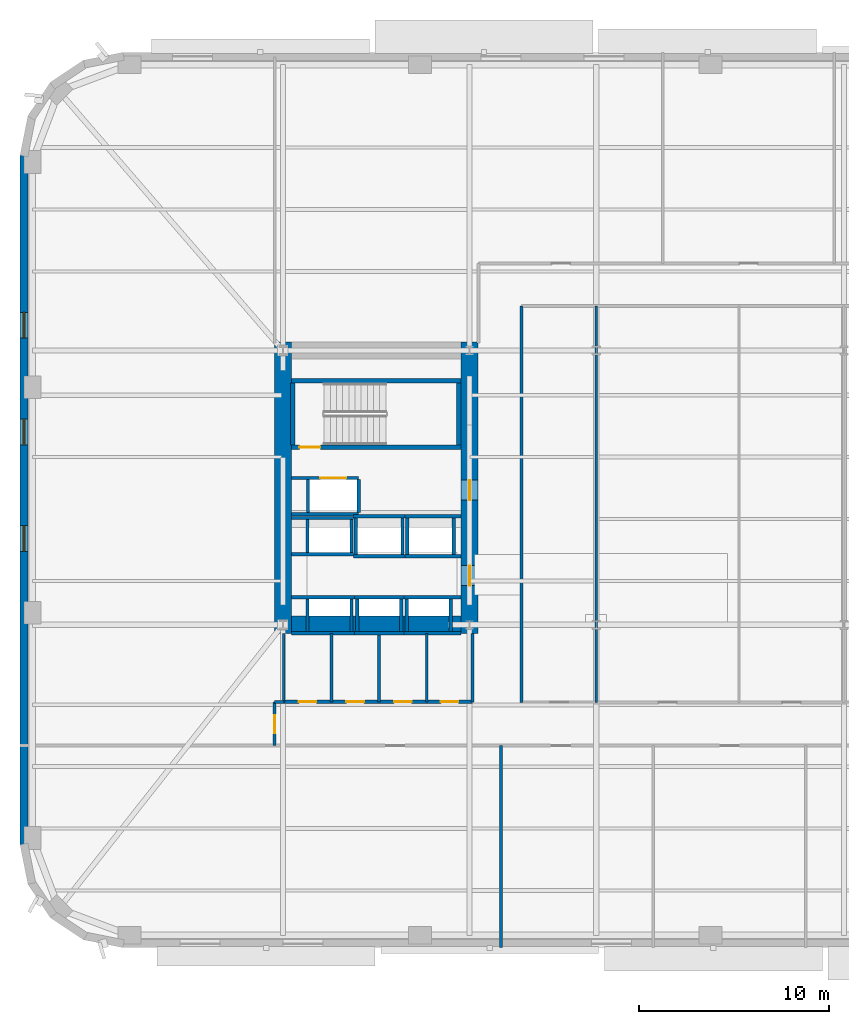
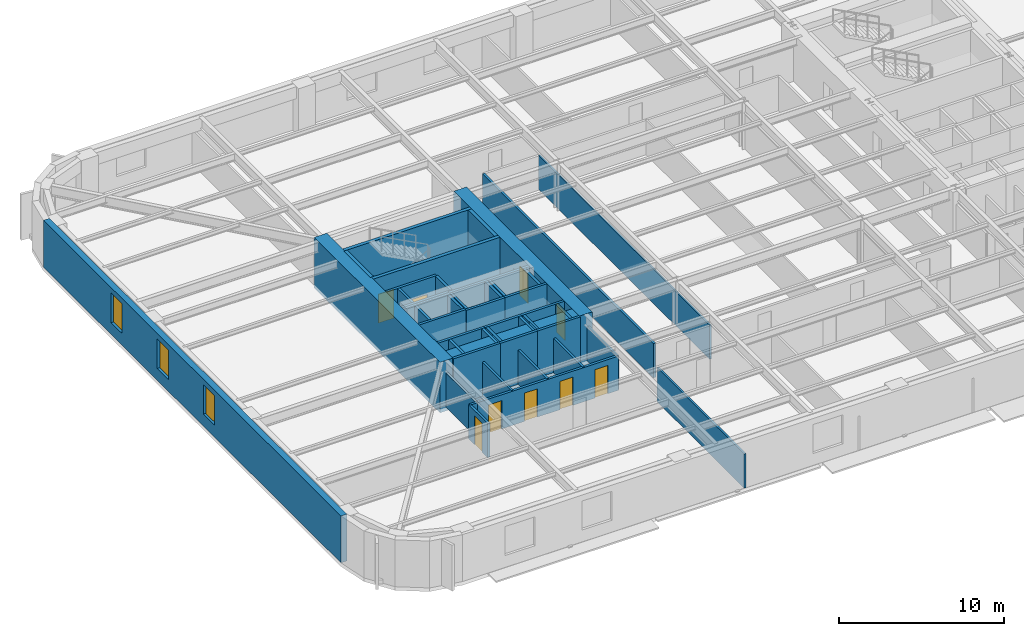
# One storey, part 4 of 15: 47 walls, 9 doors, 3 windows, 12 openings.
"""IFC4 building model written with IfcOpenShell, lengths in metres."""

from ifc_helpers import new_model, si_unit, direction, frame, frame_2d, origin, place, context, subcontext, project, spatial, rectangle, extrude, material, layer, layer_set, type_object, element, fill, save


model = new_model("IFC4")

# Units and contexts
model_context = context("Model", 3, precision=1e-05, world=origin(), true_north=direction((0.0, 1.0)))
body_context = subcontext(model_context, "Body", "Model", "MODEL_VIEW")
ifc_project = project(units=[si_unit("LENGTHUNIT", "METRE"), si_unit("AREAUNIT", "SQUARE_METRE"), si_unit("VOLUMEUNIT", "CUBIC_METRE"), si_unit("PLANEANGLEUNIT", "RADIAN"), si_unit("MASSUNIT", "GRAM", prefix="KILO")], contexts=[model_context])

# Site, building, storey
site_placement = place(None, origin())
site = spatial("IfcSite", under=ifc_project, at=site_placement, CompositionType="ELEMENT")
building_placement = place(site_placement, origin())
building = spatial("IfcBuilding", under=site, at=building_placement, Name="Kolvaren Arena Tower", CompositionType="ELEMENT")
storey_placement = place(building_placement, frame((0.0, 0.0, 49.5)))
storey = spatial("IfcBuildingStorey", under=building, at=storey_placement, Name="L09", CompositionType="ELEMENT", Elevation=49.5)

# Wall
ifc_material_1 = material(Name="Gypsum board acoustic assembly", Category="gypsum")
ifc_layer_1 = layer(ifc_material_1, 0.159912109375)
ifc_layer_set_1 = layer_set([ifc_layer_1], Name="Gypsum board acoustic assembly")
wall_type_1 = type_object("IfcWallType", Name="CORR-160", PredefinedType="PARTITIONING", material=ifc_layer_set_1)
wall_1_placement = place(storey_placement, frame((27.080078125, 15.3798828125, 0.0), z_axis=(0.0, 0.0, 1.0), x_axis=(0.0, 1.0, 0.0)))
element("IfcWall", 1, at=wall_1_placement, inside=storey, type_object=wall_type_1, Name="Interior Partition Wall (L09)", PredefinedType="PARTITIONING", context=body_context, shape_type="SweptSolid", body=[
    extrude(rectangle(XDim=20.800048828125, YDim=0.159912109375, at=frame_2d((10.39990234375, 0.0))), origin(), (0.0, 0.0, 1.0), 2.5400390625),
])

# Wall, opening, door
wall_2_placement = place(storey_placement, frame((14.1201171875, 13.10009765625, 0.0), z_axis=(0.0, 0.0, 1.0), x_axis=(0.0, 1.0, 0.0)))
wall_2 = element("IfcWall", 2, at=wall_2_placement, inside=storey, type_object=wall_type_1, Name="Interior Partition Wall (L09)", PredefinedType="PARTITIONING", context=body_context, shape_type="SweptSolid", body=[
    extrude(rectangle(XDim=2.2998046875, YDim=0.159912109375, at=frame_2d((1.14990234375, 0.0))), origin(), (0.0, 0.0, 1.0), 2.5400390625),
])
opening_1_placement = place(wall_2_placement, frame((0.64990234375, 0.0, 0.0)))
opening_1 = element("IfcOpeningElement", 3, at=opening_1_placement, cuts=wall_2, Name="Opening D05", PredefinedType="OPENING", context=body_context, shape_type="SweptSolid", body=[
    extrude(rectangle(XDim=0.949951171875, YDim=2.14990234375, at=frame_2d((0.47509765625, 1.074951171875))), frame((0.0, 0.08984375, 0.0), z_axis=(0.0, -1.0, 0.0), x_axis=(1.0, 0.0, 0.0)), (0.0, 0.0, 1.0), 0.179931640625),
])
ifc_material_2 = material(Name="Solid-core oak acoustic office door", Category="wood")
door_type_1 = type_object("IfcDoorType", Name="DOOR-OF-095", OperationType="NOTDEFINED", PredefinedType="DOOR", material=ifc_material_2)
door_1_placement = place(opening_1_placement, origin())
door_1 = element("IfcDoor", 4, at=door_1_placement, inside=storey, type_object=door_type_1, Name="West Wing Office Door (L09)", OperationType="SINGLE_SWING_LEFT", OverallHeight=2.14990234375, OverallWidth=0.949951171875, PredefinedType="DOOR", context=body_context, shape_type="SweptSolid", body=[
    extrude(rectangle(XDim=0.949951171875, YDim=2.14990234375, at=frame_2d((0.47509765625, 1.074951171875))), frame((0.0, 0.02490234375, 0.0), z_axis=(0.0, -1.0, 0.0), x_axis=(1.0, 0.0, 0.0)), (0.0, 0.0, 1.0), 0.050048828125),
])
fill(opening_1, door_1)

# Walls
wall_3_placement = place(storey_placement, frame((14.1201171875, 15.39990234375, 0.0), z_axis=(0.0, 0.0, 1.0), x_axis=(1.0, 0.0, 0.0)))
element("IfcWall", 5, at=wall_3_placement, inside=storey, type_object=wall_type_1, Name="Interior Partition Wall (L09)", PredefinedType="PARTITIONING", context=body_context, shape_type="SweptSolid", body=[
    extrude(rectangle(XDim=0.5, YDim=0.159912109375, at=frame_2d((0.25, 0.0))), origin(), (0.0, 0.0, 1.0), 2.5400390625),
])
ifc_material_3 = material(Name="Concrete 80 MPa", Category="concrete")
ifc_layer_2 = layer(ifc_material_3, 0.89990234375)
ifc_layer_set_2 = layer_set([ifc_layer_2], Name="Concrete 80 MPa")
wall_type_2 = type_object("IfcWallType", Name="CWALL-900", PredefinedType="SHEAR", material=ifc_layer_set_2)
wall_4_placement = place(storey_placement, frame((14.550048828125, 19.0, -0.27001953125), z_axis=(0.0, 0.0, 1.0), x_axis=(0.0, 1.0, 0.0)))
element("IfcWall", 6, at=wall_4_placement, inside=storey, type_object=wall_type_2, Name="Core Shear Wall WC-WEST (L09)", PredefinedType="SHEAR", context=body_context, shape_type="SweptSolid", body=[
    extrude(rectangle(XDim=15.300048828125, YDim=0.89990234375, at=frame_2d((7.64990234375, 0.0))), origin(), (0.0, 0.0, 1.0), 3.75),
])

# Wall, openings, doors
wall_5_placement = place(storey_placement, frame((24.35009765625, 19.0, -0.27001953125), z_axis=(0.0, 0.0, 1.0), x_axis=(0.0, 1.0, 0.0)))
wall_5 = element("IfcWall", 7, at=wall_5_placement, inside=storey, type_object=wall_type_2, Name="Core Shear Wall WC-EAST (L09)", PredefinedType="SHEAR", context=body_context, shape_type="SweptSolid", body=[
    extrude(rectangle(XDim=15.300048828125, YDim=0.89990234375, at=frame_2d((7.64990234375, 0.0))), origin(), (0.0, 0.0, 1.0), 3.75),
])
opening_2_placement = place(wall_5_placement, frame((2.5, 0.0, 0.27001953125)))
opening_2 = element("IfcOpeningElement", 8, at=opening_2_placement, cuts=wall_5, Name="Opening D04", PredefinedType="OPENING", context=body_context, shape_type="SweptSolid", body=[
    extrude(rectangle(XDim=1.050048828125, YDim=2.14990234375, at=frame_2d((0.52490234375, 1.074951171875))), frame((0.0, 0.4599609375, 0.0), z_axis=(0.0, -1.0, 0.0), x_axis=(1.0, 0.0, 0.0)), (0.0, 0.0, 1.0), 0.919921875),
])
opening_3_placement = place(wall_5_placement, frame((7.0, 0.0, 0.27001953125)))
opening_3 = element("IfcOpeningElement", 9, at=opening_3_placement, cuts=wall_5, Name="Opening D04", PredefinedType="OPENING", context=body_context, shape_type="SweptSolid", body=[
    extrude(rectangle(XDim=1.050048828125, YDim=2.14990234375, at=frame_2d((0.52490234375, 1.074951171875))), frame((0.0, 0.4599609375, 0.0), z_axis=(0.0, -1.0, 0.0), x_axis=(1.0, 0.0, 0.0)), (0.0, 0.0, 1.0), 0.919921875),
])
ifc_material_4 = material(Name="Fire-rated steel lobby door", Category="steel")
door_type_2 = type_object("IfcDoorType", Name="DOOR-FF-105", OperationType="NOTDEFINED", PredefinedType="DOOR", material=ifc_material_4)
door_2_placement = place(opening_2_placement, origin())
door_2 = element("IfcDoor", 10, at=door_2_placement, inside=storey, type_object=door_type_2, Name="West Lift Lobby Fire Door (L09)", OperationType="SINGLE_SWING_LEFT", OverallHeight=2.14990234375, OverallWidth=1.050048828125, PredefinedType="DOOR", context=body_context, shape_type="SweptSolid", body=[
    extrude(rectangle(XDim=1.050048828125, YDim=2.14990234375, at=frame_2d((0.52490234375, 1.074951171875))), frame((0.0, 0.02490234375, 0.0), z_axis=(0.0, -1.0, 0.0), x_axis=(1.0, 0.0, 0.0)), (0.0, 0.0, 1.0), 0.050048828125),
])
fill(opening_2, door_2)
door_3_placement = place(opening_3_placement, origin())
door_3 = element("IfcDoor", 11, at=door_3_placement, inside=storey, type_object=door_type_2, Name="West Firefighter Vestibule Door (L09)", OperationType="SINGLE_SWING_RIGHT", OverallHeight=2.14990234375, OverallWidth=1.050048828125, PredefinedType="DOOR", context=body_context, shape_type="SweptSolid", body=[
    extrude(rectangle(XDim=1.050048828125, YDim=2.14990234375, at=frame_2d((0.52490234375, 1.074951171875))), frame((0.0, 0.02490234375, 0.0), z_axis=(0.0, -1.0, 0.0), x_axis=(1.0, 0.0, 0.0)), (0.0, 0.0, 1.0), 0.050048828125),
])
fill(opening_3, door_3)

# Wall
wall_6_placement = place(storey_placement, frame((15.0, 19.449951171875, -0.27001953125), z_axis=(0.0, 0.0, 1.0), x_axis=(1.0, 0.0, 0.0)))
element("IfcWall", 12, at=wall_6_placement, inside=storey, type_object=wall_type_2, Name="Core Shear Wall WC-SOUTH (L09)", PredefinedType="SHEAR", context=body_context, shape_type="SweptSolid", body=[
    extrude(rectangle(XDim=8.89990234375, YDim=0.89990234375, at=frame_2d((4.449951171875, 0.0))), origin(), (0.0, 0.0, 1.0), 3.75),
])

# Wall, openings, windows
ifc_material_5 = material(Name="Precast concrete C50/60", Category="concrete")
ifc_layer_3 = layer(ifc_material_5, 0.419921875)
ifc_layer_set_3 = layer_set([ifc_layer_3], Name="Precast concrete C50/60")
wall_type_3 = type_object("IfcWallType", Name="EXT-PIER1", PredefinedType="SOLIDWALL", material=ifc_layer_set_3)
wall_7_placement = place(storey_placement, frame((0.9599609375, 7.89990234375, 0.0), z_axis=(0.0, 0.0, 1.0), x_axis=(0.0, 1.0, 0.0)))
wall_7 = element("IfcWall", 13, at=wall_7_placement, inside=storey, type_object=wall_type_3, Name="Exterior Precast Masonry-Frame Wall (L09)", PredefinedType="SOLIDWALL", context=body_context, shape_type="SweptSolid", body=[
    extrude(rectangle(XDim=36.2001953125, YDim=0.419921875, at=frame_2d((18.10009765625, 0.0))), origin(), (0.0, 0.0, 1.0), 3.47998046875),
])
opening_4_placement = place(wall_7_placement, frame((15.39990234375, 0.0, 0.8798828125)))
opening_4 = element("IfcOpeningElement", 14, at=opening_4_placement, cuts=wall_7, Name="Opening W04", PredefinedType="OPENING", context=body_context, shape_type="SweptSolid", body=[
    extrude(rectangle(XDim=1.35009765625, YDim=2.199951171875, at=frame_2d((0.675048828125, 1.10009765625))), frame((0.0, 0.219970703125, 0.0), z_axis=(0.0, -1.0, 0.0), x_axis=(1.0, 0.0, 0.0)), (0.0, 0.0, 1.0), 0.43994140625),
])
opening_5_placement = place(wall_7_placement, frame((21.0, 0.0, 0.8798828125)))
opening_5 = element("IfcOpeningElement", 15, at=opening_5_placement, cuts=wall_7, Name="Opening W04", PredefinedType="OPENING", context=body_context, shape_type="SweptSolid", body=[
    extrude(rectangle(XDim=1.35009765625, YDim=2.199951171875, at=frame_2d((0.675048828125, 1.10009765625))), frame((0.0, 0.219970703125, 0.0), z_axis=(0.0, -1.0, 0.0), x_axis=(1.0, 0.0, 0.0)), (0.0, 0.0, 1.0), 0.43994140625),
])
opening_6_placement = place(wall_7_placement, frame((26.60009765625, 0.0, 0.8798828125)))
opening_6 = element("IfcOpeningElement", 16, at=opening_6_placement, cuts=wall_7, Name="Opening W04", PredefinedType="OPENING", context=body_context, shape_type="SweptSolid", body=[
    extrude(rectangle(XDim=1.35009765625, YDim=2.199951171875, at=frame_2d((0.675048828125, 1.10009765625))), frame((0.0, 0.219970703125, 0.0), z_axis=(0.0, -1.0, 0.0), x_axis=(1.0, 0.0, 0.0)), (0.0, 0.0, 1.0), 0.43994140625),
])
ifc_material_6 = material(Name="Triple-glazed curved-facet corner window", Category="glass")
window_type = type_object("IfcWindowType", Name="WIN-CRN-A", PartitioningType="SINGLE_PANEL", PredefinedType="WINDOW", material=ifc_material_6)
window_1_placement = place(opening_4_placement, origin())
window_1 = element("IfcWindow", 17, at=window_1_placement, inside=storey, type_object=window_type, Name="End-Wall Punched Window (L09)", OverallHeight=2.199951171875, OverallWidth=1.35009765625, PartitioningType="SINGLE_PANEL", PredefinedType="WINDOW", context=body_context, shape_type="SweptSolid", body=[
    extrude(rectangle(XDim=1.35009765625, YDim=2.199951171875, at=frame_2d((0.675048828125, 1.10009765625))), frame((0.0, 0.030029296875, 0.0), z_axis=(0.0, -1.0, 0.0), x_axis=(1.0, 0.0, 0.0)), (0.0, 0.0, 1.0), 0.06005859375),
])
fill(opening_4, window_1)
window_2_placement = place(opening_5_placement, origin())
window_2 = element("IfcWindow", 18, at=window_2_placement, inside=storey, type_object=window_type, Name="End-Wall Punched Window (L09)", OverallHeight=2.199951171875, OverallWidth=1.35009765625, PartitioningType="SINGLE_PANEL", PredefinedType="WINDOW", context=body_context, shape_type="SweptSolid", body=[
    extrude(rectangle(XDim=1.35009765625, YDim=2.199951171875, at=frame_2d((0.675048828125, 1.10009765625))), frame((0.0, 0.030029296875, 0.0), z_axis=(0.0, -1.0, 0.0), x_axis=(1.0, 0.0, 0.0)), (0.0, 0.0, 1.0), 0.06005859375),
])
fill(opening_5, window_2)
window_3_placement = place(opening_6_placement, origin())
window_3 = element("IfcWindow", 19, at=window_3_placement, inside=storey, type_object=window_type, Name="End-Wall Punched Window (L09)", OverallHeight=2.199951171875, OverallWidth=1.35009765625, PartitioningType="SINGLE_PANEL", PredefinedType="WINDOW", context=body_context, shape_type="SweptSolid", body=[
    extrude(rectangle(XDim=1.35009765625, YDim=2.199951171875, at=frame_2d((0.675048828125, 1.10009765625))), frame((0.0, 0.030029296875, 0.0), z_axis=(0.0, -1.0, 0.0), x_axis=(1.0, 0.0, 0.0)), (0.0, 0.0, 1.0), 0.06005859375),
])
fill(opening_6, window_3)

# Walls
ifc_material_7 = material(Name="Gypsum board partition assembly", Category="gypsum")
ifc_layer_4 = layer(ifc_material_7, 0.114990234375)
ifc_layer_set_4 = layer_set([ifc_layer_4], Name="Gypsum board partition assembly")
wall_type_4 = type_object("IfcWallType", Name="PART-115", PredefinedType="PARTITIONING", material=ifc_layer_set_4)
wall_8_placement = place(storey_placement, frame((31.0, 15.3798828125, 0.0), z_axis=(0.0, 0.0, 1.0), x_axis=(0.0, 1.0, 0.0)))
element("IfcWall", 20, at=wall_8_placement, inside=storey, type_object=wall_type_4, Name="Interior Partition Wall (L09)", PredefinedType="PARTITIONING", context=body_context, shape_type="SweptSolid", body=[
    extrude(rectangle(XDim=20.800048828125, YDim=0.114990234375, at=frame_2d((10.39990234375, 0.0))), origin(), (0.0, 0.0, 1.0), 2.5400390625),
])
ifc_layer_5 = layer(ifc_material_7, 0.135009765625)
ifc_layer_set_5 = layer_set([ifc_layer_5], Name="Gypsum board partition assembly")
wall_type_5 = type_object("IfcWallType", Name="PART-135", PredefinedType="PARTITIONING", material=ifc_layer_set_5)
wall_9_placement = place(storey_placement, frame((26.0, 2.5, 0.0), z_axis=(0.0, 0.0, 1.0), x_axis=(0.0, 1.0, 0.0)))
element("IfcWall", 21, at=wall_9_placement, inside=storey, type_object=wall_type_5, Name="Interior Partition Wall (L09)", PredefinedType="PARTITIONING", context=body_context, shape_type="SweptSolid", body=[
    extrude(rectangle(XDim=10.60009765625, YDim=0.135009765625, at=frame_2d((5.300048828125, 0.0))), origin(), (0.0, 0.0, 1.0), 2.5400390625),
])

# Wall, opening, door
ifc_material_8 = material(Name="Concrete 45 MPa", Category="concrete")
ifc_layer_6 = layer(ifc_material_8, 0.25)
ifc_layer_set_6 = layer_set([ifc_layer_6], Name="Concrete 45 MPa")
wall_type_6 = type_object("IfcWallType", Name="SHAFT-250", PredefinedType="SOLIDWALL", material=ifc_layer_set_6)
wall_10_placement = place(storey_placement, frame((23.89990234375, 28.780029296875, 0.0), z_axis=(0.0, 0.0, 1.0), x_axis=(-1.0, 0.0, 0.0)))
wall_10 = element("IfcWall", 22, at=wall_10_placement, inside=storey, type_object=wall_type_6, Name="Core Shaft Wall (L09)", PredefinedType="SOLIDWALL", context=body_context, shape_type="SweptSolid", body=[
    extrude(rectangle(XDim=8.89990234375, YDim=0.239990234375, at=frame_2d((4.449951171875, 0.0))), origin(), (0.0, 0.0, 1.0), 3.47998046875),
])
opening_7_placement = place(wall_10_placement, frame((7.3798828125, 0.0, 0.0)))
opening_7 = element("IfcOpeningElement", 23, at=opening_7_placement, cuts=wall_10, Name="Opening D03", PredefinedType="OPENING", context=body_context, shape_type="SweptSolid", body=[
    extrude(rectangle(XDim=1.10009765625, YDim=2.14990234375, at=frame_2d((0.550048828125, 1.074951171875))), frame((0.0, 0.1298828125, 0.0), z_axis=(0.0, -1.0, 0.0), x_axis=(1.0, 0.0, 0.0)), (0.0, 0.0, 1.0), 0.260009765625),
])
ifc_material_9 = material(Name="Fire-rated steel exit stair door", Category="steel")
door_type_3 = type_object("IfcDoorType", Name="DOOR-ST-110", OperationType="NOTDEFINED", PredefinedType="DOOR", material=ifc_material_9)
door_4_placement = place(opening_7_placement, origin())
door_4 = element("IfcDoor", 24, at=door_4_placement, inside=storey, type_object=door_type_3, Name="Stair ST-W1 Fire Door (L09)", OperationType="SINGLE_SWING_RIGHT", OverallHeight=2.14990234375, OverallWidth=1.10009765625, PredefinedType="DOOR", context=body_context, shape_type="SweptSolid", body=[
    extrude(rectangle(XDim=1.10009765625, YDim=2.14990234375, at=frame_2d((0.550048828125, 1.074951171875))), frame((0.0, 0.02490234375, 0.0), z_axis=(0.0, -1.0, 0.0), x_axis=(1.0, 0.0, 0.0)), (0.0, 0.0, 1.0), 0.050048828125),
])
fill(opening_7, door_4)

# Walls
wall_11_placement = place(storey_placement, frame((15.0, 32.25, 0.0), z_axis=(0.0, 0.0, 1.0), x_axis=(1.0, 0.0, 0.0)))
element("IfcWall", 25, at=wall_11_placement, inside=storey, type_object=wall_type_6, Name="Core Shaft Wall (L09)", PredefinedType="SOLIDWALL", context=body_context, shape_type="SweptSolid", body=[
    extrude(rectangle(XDim=8.89990234375, YDim=0.239990234375, at=frame_2d((4.449951171875, 0.0))), origin(), (0.0, 0.0, 1.0), 3.47998046875),
])
for number, where, z_axis, x_axis, name in (
    (26, (15.06005859375, 28.89990234375, 0.0), (0.0, 0.0, 1.0), (0.0, 1.0, 0.0), "Core Shaft Wall (L09)"),
    (27, (23.780029296875, 28.89990234375, 0.0), (0.0, 0.0, 1.0), (0.0, 1.0, 0.0), "Core Shaft Wall (L09)"),
):
    element("IfcWall", number, at=place(storey_placement, frame(where, z_axis=z_axis, x_axis=x_axis)), inside=storey, type_object=wall_type_6, Name=name, PredefinedType="SOLIDWALL", context=body_context, shape_type="SweptSolid", body=[
        extrude(rectangle(XDim=3.22998046875, YDim=0.239990234375, at=frame_2d((1.614990234375, 0.0))), origin(), (0.0, 0.0, 1.0), 3.47998046875),
    ])
for number, where, z_axis, x_axis, name in (
    (28, (15.0, 20.905029296875, 0.0), (0.0, 0.0, 1.0), (1.0, 0.0, 0.0), "Core Shaft Wall (L09)"),
    (29, (15.0, 18.9951171875, 0.0), (0.0, 0.0, 1.0), (1.0, 0.0, 0.0), "Core Shaft Wall (L09)"),
):
    element("IfcWall", number, at=place(storey_placement, frame(where, z_axis=z_axis, x_axis=x_axis)), inside=storey, type_object=wall_type_6, Name=name, PredefinedType="SOLIDWALL", context=body_context, shape_type="SweptSolid", body=[
        extrude(rectangle(XDim=3.300048828125, YDim=0.179931640625, at=frame_2d((1.64990234375, 0.0))), origin(), (0.0, 0.0, 1.0), 3.47998046875),
    ])
for number, where, z_axis, x_axis, name in (
    (30, (15.844970703125, 19.0849609375, 0.0), (0.0, 0.0, 1.0), (0.0, 1.0, 0.0), "Core Shaft Wall (L09)"),
    (31, (18.155029296875, 19.0849609375, 0.0), (0.0, 0.0, 1.0), (0.0, 1.0, 0.0), "Core Shaft Wall (L09)"),
):
    element("IfcWall", number, at=place(storey_placement, frame(where, z_axis=z_axis, x_axis=x_axis)), inside=storey, type_object=wall_type_6, Name=name, PredefinedType="SOLIDWALL", context=body_context, shape_type="SweptSolid", body=[
        extrude(rectangle(XDim=1.72998046875, YDim=0.179931640625, at=frame_2d((0.864990234375, 0.0))), origin(), (0.0, 0.0, 1.0), 3.47998046875),
    ])
for number, where, z_axis, x_axis, name in (
    (32, (18.300048828125, 20.905029296875, 0.0), (0.0, 0.0, 1.0), (1.0, 0.0, 0.0), "Core Shaft Wall (L09)"),
    (33, (18.300048828125, 18.9951171875, 0.0), (0.0, 0.0, 1.0), (1.0, 0.0, 0.0), "Core Shaft Wall (L09)"),
):
    element("IfcWall", number, at=place(storey_placement, frame(where, z_axis=z_axis, x_axis=x_axis)), inside=storey, type_object=wall_type_6, Name=name, PredefinedType="SOLIDWALL", context=body_context, shape_type="SweptSolid", body=[
        extrude(rectangle(XDim=2.599853515625, YDim=0.179931640625, at=frame_2d((1.2998046875, 0.0))), origin(), (0.0, 0.0, 1.0), 3.47998046875),
    ])
for number, where, z_axis, x_axis, name in (
    (34, (18.445068359375, 19.0849609375, 0.0), (0.0, 0.0, 1.0), (0.0, 1.0, 0.0), "Core Shaft Wall (L09)"),
    (35, (20.7548828125, 19.0849609375, 0.0), (0.0, 0.0, 1.0), (0.0, 1.0, 0.0), "Core Shaft Wall (L09)"),
):
    element("IfcWall", number, at=place(storey_placement, frame(where, z_axis=z_axis, x_axis=x_axis)), inside=storey, type_object=wall_type_6, Name=name, PredefinedType="SOLIDWALL", context=body_context, shape_type="SweptSolid", body=[
        extrude(rectangle(XDim=1.72998046875, YDim=0.179931640625, at=frame_2d((0.864990234375, 0.0))), origin(), (0.0, 0.0, 1.0), 3.47998046875),
    ])
for number, where, z_axis, x_axis, name in (
    (36, (20.89990234375, 20.905029296875, 0.0), (0.0, 0.0, 1.0), (1.0, 0.0, 0.0), "Core Shaft Wall (L09)"),
    (37, (20.89990234375, 18.9951171875, 0.0), (0.0, 0.0, 1.0), (1.0, 0.0, 0.0), "Core Shaft Wall (L09)"),
):
    element("IfcWall", number, at=place(storey_placement, frame(where, z_axis=z_axis, x_axis=x_axis)), inside=storey, type_object=wall_type_6, Name=name, PredefinedType="SOLIDWALL", context=body_context, shape_type="SweptSolid", body=[
        extrude(rectangle(XDim=3.0, YDim=0.179931640625, at=frame_2d((1.5, 0.0))), origin(), (0.0, 0.0, 1.0), 3.47998046875),
    ])
for number, where, z_axis, x_axis, name in (
    (38, (21.044921875, 19.0849609375, 0.0), (0.0, 0.0, 1.0), (0.0, 1.0, 0.0), "Core Shaft Wall (L09)"),
    (39, (23.35498046875, 19.0849609375, 0.0), (0.0, 0.0, 1.0), (0.0, 1.0, 0.0), "Core Shaft Wall (L09)"),
):
    element("IfcWall", number, at=place(storey_placement, frame(where, z_axis=z_axis, x_axis=x_axis)), inside=storey, type_object=wall_type_6, Name=name, PredefinedType="SOLIDWALL", context=body_context, shape_type="SweptSolid", body=[
        extrude(rectangle(XDim=1.72998046875, YDim=0.179931640625, at=frame_2d((0.864990234375, 0.0))), origin(), (0.0, 0.0, 1.0), 3.47998046875),
    ])
for number, where, z_axis, x_axis, name in (
    (40, (15.0, 25.054931640625, 0.0), (0.0, 0.0, 1.0), (1.0, 0.0, 0.0), "Core Shaft Wall (L09)"),
    (41, (15.0, 23.14501953125, 0.0), (0.0, 0.0, 1.0), (1.0, 0.0, 0.0), "Core Shaft Wall (L09)"),
):
    element("IfcWall", number, at=place(storey_placement, frame(where, z_axis=z_axis, x_axis=x_axis)), inside=storey, type_object=wall_type_6, Name=name, PredefinedType="SOLIDWALL", context=body_context, shape_type="SweptSolid", body=[
        extrude(rectangle(XDim=3.262451171875, YDim=0.179931640625, at=frame_2d((1.63134765625, 0.0))), origin(), (0.0, 0.0, 1.0), 3.47998046875),
    ])
for number, where, z_axis, x_axis, name in (
    (42, (15.844970703125, 23.235107421875, 0.0), (0.0, 0.0, 1.0), (0.0, 1.0, 0.0), "Core Shaft Wall (L09)"),
    (43, (18.155029296875, 23.235107421875, 0.0), (0.0, 0.0, 1.0), (0.0, 1.0, 0.0), "Core Shaft Wall (L09)"),
):
    element("IfcWall", number, at=place(storey_placement, frame(where, z_axis=z_axis, x_axis=x_axis)), inside=storey, type_object=wall_type_6, Name=name, PredefinedType="SOLIDWALL", context=body_context, shape_type="SweptSolid", body=[
        extrude(rectangle(XDim=1.72998046875, YDim=0.179931640625, at=frame_2d((0.864990234375, 0.0))), origin(), (0.0, 0.0, 1.0), 3.47998046875),
    ])
for number, where, z_axis, x_axis, name in (
    (44, (18.262451171875, 25.155029296875, 0.0), (0.0, 0.0, 1.0), (1.0, 0.0, 0.0), "Core Shaft Wall (L09)"),
    (45, (18.262451171875, 23.044921875, 0.0), (0.0, 0.0, 1.0), (1.0, 0.0, 0.0), "Core Shaft Wall (L09)"),
):
    element("IfcWall", number, at=place(storey_placement, frame(where, z_axis=z_axis, x_axis=x_axis)), inside=storey, type_object=wall_type_6, Name=name, PredefinedType="SOLIDWALL", context=body_context, shape_type="SweptSolid", body=[
        extrude(rectangle(XDim=2.6875, YDim=0.179931640625, at=frame_2d((1.34375, 0.0))), origin(), (0.0, 0.0, 1.0), 3.47998046875),
    ])
for number, where, z_axis, x_axis, name in (
    (46, (18.3701171875, 23.135009765625, 0.0), (0.0, 0.0, 1.0), (0.0, 1.0, 0.0), "Core Shaft Wall (L09)"),
    (47, (20.830078125, 23.135009765625, 0.0), (0.0, 0.0, 1.0), (0.0, 1.0, 0.0), "Core Shaft Wall (L09)"),
):
    element("IfcWall", number, at=place(storey_placement, frame(where, z_axis=z_axis, x_axis=x_axis)), inside=storey, type_object=wall_type_6, Name=name, PredefinedType="SOLIDWALL", context=body_context, shape_type="SweptSolid", body=[
        extrude(rectangle(XDim=1.929931640625, YDim=0.179931640625, at=frame_2d((0.96484375, 0.0))), origin(), (0.0, 0.0, 1.0), 3.47998046875),
    ])
for number, where, z_axis, x_axis, name in (
    (48, (20.949951171875, 25.155029296875, 0.0), (0.0, 0.0, 1.0), (1.0, 0.0, 0.0), "Core Shaft Wall (L09)"),
    (49, (20.949951171875, 23.044921875, 0.0), (0.0, 0.0, 1.0), (1.0, 0.0, 0.0), "Core Shaft Wall (L09)"),
):
    element("IfcWall", number, at=place(storey_placement, frame(where, z_axis=z_axis, x_axis=x_axis)), inside=storey, type_object=wall_type_6, Name=name, PredefinedType="SOLIDWALL", context=body_context, shape_type="SweptSolid", body=[
        extrude(rectangle(XDim=2.949951171875, YDim=0.179931640625, at=frame_2d((1.47509765625, 0.0))), origin(), (0.0, 0.0, 1.0), 3.47998046875),
    ])
for number, where, z_axis, x_axis, name in (
    (50, (21.070068359375, 23.135009765625, 0.0), (0.0, 0.0, 1.0), (0.0, 1.0, 0.0), "Core Shaft Wall (L09)"),
    (51, (23.530029296875, 23.135009765625, 0.0), (0.0, 0.0, 1.0), (0.0, 1.0, 0.0), "Core Shaft Wall (L09)"),
):
    element("IfcWall", number, at=place(storey_placement, frame(where, z_axis=z_axis, x_axis=x_axis)), inside=storey, type_object=wall_type_6, Name=name, PredefinedType="SOLIDWALL", context=body_context, shape_type="SweptSolid", body=[
        extrude(rectangle(XDim=1.929931640625, YDim=0.179931640625, at=frame_2d((0.96484375, 0.0))), origin(), (0.0, 0.0, 1.0), 3.47998046875),
    ])

# Wall, opening, door
wall_12_placement = place(storey_placement, frame((15.0, 27.155029296875, 0.0), z_axis=(0.0, 0.0, 1.0), x_axis=(1.0, 0.0, 0.0)))
wall_12 = element("IfcWall", 52, at=wall_12_placement, inside=storey, type_object=wall_type_6, Name="Core Shaft Wall (L09)", PredefinedType="SOLIDWALL", context=body_context, shape_type="SweptSolid", body=[
    extrude(rectangle(XDim=3.530029296875, YDim=0.179931640625, at=frame_2d((1.76513671875, 0.0))), origin(), (0.0, 0.0, 1.0), 3.47998046875),
])
opening_8_placement = place(wall_12_placement, frame((1.52490234375, 0.0, 0.0)))
opening_8 = element("IfcOpeningElement", 53, at=opening_8_placement, cuts=wall_12, Name="Opening LD2", PredefinedType="OPENING", context=body_context, shape_type="SweptSolid", body=[
    extrude(rectangle(XDim=1.35009765625, YDim=2.300048828125, at=frame_2d((0.675048828125, 1.14990234375))), frame((0.0, 0.099853515625, 0.0), z_axis=(0.0, -1.0, 0.0), x_axis=(1.0, 0.0, 0.0)), (0.0, 0.0, 1.0), 0.199951171875),
])
ifc_material_10 = material(Name="Stainless steel firefighter lift landing door", Category="steel")
door_type_4 = type_object("IfcDoorType", Name="DOOR-LD-135", OperationType="DOUBLE_DOOR_SLIDING", PredefinedType="DOOR", material=ifc_material_10)
door_5_placement = place(opening_8_placement, origin())
door_5 = element("IfcDoor", 54, at=door_5_placement, inside=storey, type_object=door_type_4, Name="Firefighter Lift FF-W1 Landing Door (L09)", OperationType="DOUBLE_DOOR_SLIDING", OverallHeight=2.300048828125, OverallWidth=1.35009765625, PredefinedType="DOOR", context=body_context, shape_type="SweptSolid", body=[
    extrude(rectangle(XDim=1.35009765625, YDim=2.300048828125, at=frame_2d((0.675048828125, 1.14990234375))), frame((0.0, 0.02490234375, 0.0), z_axis=(0.0, -1.0, 0.0), x_axis=(1.0, 0.0, 0.0)), (0.0, 0.0, 1.0), 0.050048828125),
])
fill(opening_8, door_5)

# Walls
wall_13_placement = place(storey_placement, frame((15.0, 25.2451171875, 0.0), z_axis=(0.0, 0.0, 1.0), x_axis=(1.0, 0.0, 0.0)))
element("IfcWall", 55, at=wall_13_placement, inside=storey, type_object=wall_type_6, Name="Core Shaft Wall (L09)", PredefinedType="SOLIDWALL", context=body_context, shape_type="SweptSolid", body=[
    extrude(rectangle(XDim=3.530029296875, YDim=0.179931640625, at=frame_2d((1.76513671875, 0.0))), origin(), (0.0, 0.0, 1.0), 3.47998046875),
])
for number, where, z_axis, x_axis, name in (
    (56, (15.8701171875, 25.3349609375, 0.0), (0.0, 0.0, 1.0), (0.0, 1.0, 0.0), "Core Shaft Wall (L09)"),
    (57, (18.530029296875, 25.3349609375, 0.0), (0.0, 0.0, 1.0), (0.0, 1.0, 0.0), "Core Shaft Wall (L09)"),
):
    element("IfcWall", number, at=place(storey_placement, frame(where, z_axis=z_axis, x_axis=x_axis)), inside=storey, type_object=wall_type_6, Name=name, PredefinedType="SOLIDWALL", context=body_context, shape_type="SweptSolid", body=[
        extrude(rectangle(XDim=1.72998046875, YDim=0.179931640625, at=frame_2d((0.864990234375, 0.0))), origin(), (0.0, 0.0, 1.0), 3.47998046875),
    ])
ifc_material_11 = material(Name="Moisture-resistant gypsum assembly", Category="gypsum")
ifc_layer_7 = layer(ifc_material_11, 0.14990234375)
ifc_layer_set_7 = layer_set([ifc_layer_7], Name="Moisture-resistant gypsum assembly")
wall_type_7 = type_object("IfcWallType", Name="WETW-150", PredefinedType="PARTITIONING", material=ifc_layer_set_7)
for number, where, z_axis, x_axis, name in (
    (58, (17.10009765625, 15.39990234375, 0.0), (0.0, 0.0, 1.0), (0.0, 1.0, 0.0), "Interior Partition Wall (L09)"),
    (59, (19.60009765625, 15.39990234375, 0.0), (0.0, 0.0, 1.0), (0.0, 1.0, 0.0), "Interior Partition Wall (L09)"),
    (60, (22.10009765625, 15.39990234375, 0.0), (0.0, 0.0, 1.0), (0.0, 1.0, 0.0), "Interior Partition Wall (L09)"),
):
    element("IfcWall", number, at=place(storey_placement, frame(where, z_axis=z_axis, x_axis=x_axis)), inside=storey, type_object=wall_type_7, Name=name, PredefinedType="PARTITIONING", context=body_context, shape_type="SweptSolid", body=[
        extrude(rectangle(XDim=3.580078125, YDim=0.14990234375, at=frame_2d((1.7900390625, 0.0))), origin(), (0.0, 0.0, 1.0), 2.5400390625),
    ])

# Wall, openings, doors
wall_14_placement = place(storey_placement, frame((14.60009765625, 15.39990234375, 0.0), z_axis=(0.0, 0.0, 1.0), x_axis=(1.0, 0.0, 0.0)))
wall_14 = element("IfcWall", 61, at=wall_14_placement, inside=storey, type_object=wall_type_7, Name="Interior Partition Wall (L09)", PredefinedType="PARTITIONING", context=body_context, shape_type="SweptSolid", body=[
    extrude(rectangle(XDim=9.89990234375, YDim=0.179931640625, at=frame_2d((4.949951171875, 0.0))), origin(), (0.0, 0.0, 1.0), 2.5400390625),
])
opening_9_placement = place(wall_14_placement, frame((0.7900390625, 0.0, 0.0)))
opening_9 = element("IfcOpeningElement", 62, at=opening_9_placement, cuts=wall_14, Name="Opening D07", PredefinedType="OPENING", context=body_context, shape_type="SweptSolid", body=[
    extrude(rectangle(XDim=0.919921875, YDim=2.10009765625, at=frame_2d((0.4599609375, 1.050048828125))), frame((0.0, 0.099853515625, 0.0), z_axis=(0.0, -1.0, 0.0), x_axis=(1.0, 0.0, 0.0)), (0.0, 0.0, 1.0), 0.199951171875),
])
opening_10_placement = place(wall_14_placement, frame((3.2900390625, 0.0, 0.0)))
opening_10 = element("IfcOpeningElement", 63, at=opening_10_placement, cuts=wall_14, Name="Opening D07", PredefinedType="OPENING", context=body_context, shape_type="SweptSolid", body=[
    extrude(rectangle(XDim=0.919921875, YDim=2.10009765625, at=frame_2d((0.4599609375, 1.050048828125))), frame((0.0, 0.099853515625, 0.0), z_axis=(0.0, -1.0, 0.0), x_axis=(1.0, 0.0, 0.0)), (0.0, 0.0, 1.0), 0.199951171875),
])
opening_11_placement = place(wall_14_placement, frame((5.7900390625, 0.0, 0.0)))
opening_11 = element("IfcOpeningElement", 64, at=opening_11_placement, cuts=wall_14, Name="Opening D07", PredefinedType="OPENING", context=body_context, shape_type="SweptSolid", body=[
    extrude(rectangle(XDim=0.919921875, YDim=2.10009765625, at=frame_2d((0.4599609375, 1.050048828125))), frame((0.0, 0.099853515625, 0.0), z_axis=(0.0, -1.0, 0.0), x_axis=(1.0, 0.0, 0.0)), (0.0, 0.0, 1.0), 0.199951171875),
])
opening_12_placement = place(wall_14_placement, frame((8.239990234375, 0.0, 0.0)))
opening_12 = element("IfcOpeningElement", 65, at=opening_12_placement, cuts=wall_14, Name="Opening D07", PredefinedType="OPENING", context=body_context, shape_type="SweptSolid", body=[
    extrude(rectangle(XDim=0.919921875, YDim=2.10009765625, at=frame_2d((0.4599609375, 1.050048828125))), frame((0.0, 0.099853515625, 0.0), z_axis=(0.0, -1.0, 0.0), x_axis=(1.0, 0.0, 0.0)), (0.0, 0.0, 1.0), 0.199951171875),
])
ifc_material_12 = material(Name="Laminate universal washroom door", Category="wood")
door_type_5 = type_object("IfcDoorType", Name="DOOR-WC-092", OperationType="NOTDEFINED", PredefinedType="DOOR", material=ifc_material_12)
door_6_placement = place(opening_9_placement, origin())
door_6 = element("IfcDoor", 66, at=door_6_placement, inside=storey, type_object=door_type_5, Name="Women Restroom Door (L09)", OperationType="SINGLE_SWING_LEFT", OverallHeight=2.10009765625, OverallWidth=0.919921875, PredefinedType="DOOR", context=body_context, shape_type="SweptSolid", body=[
    extrude(rectangle(XDim=0.919921875, YDim=2.10009765625, at=frame_2d((0.4599609375, 1.050048828125))), frame((0.0, 0.02490234375, 0.0), z_axis=(0.0, -1.0, 0.0), x_axis=(1.0, 0.0, 0.0)), (0.0, 0.0, 1.0), 0.050048828125),
])
fill(opening_9, door_6)
door_7_placement = place(opening_10_placement, origin())
door_7 = element("IfcDoor", 67, at=door_7_placement, inside=storey, type_object=door_type_5, Name="Men Restroom Door (L09)", OperationType="SINGLE_SWING_RIGHT", OverallHeight=2.10009765625, OverallWidth=0.919921875, PredefinedType="DOOR", context=body_context, shape_type="SweptSolid", body=[
    extrude(rectangle(XDim=0.919921875, YDim=2.10009765625, at=frame_2d((0.4599609375, 1.050048828125))), frame((0.0, 0.02490234375, 0.0), z_axis=(0.0, -1.0, 0.0), x_axis=(1.0, 0.0, 0.0)), (0.0, 0.0, 1.0), 0.050048828125),
])
fill(opening_10, door_7)
door_8_placement = place(opening_11_placement, origin())
door_8 = element("IfcDoor", 68, at=door_8_placement, inside=storey, type_object=door_type_5, Name="Universal Barrier-Free Washroom Door (L09)", OperationType="SINGLE_SWING_LEFT", OverallHeight=2.10009765625, OverallWidth=0.919921875, PredefinedType="DOOR", context=body_context, shape_type="SweptSolid", body=[
    extrude(rectangle(XDim=0.919921875, YDim=2.10009765625, at=frame_2d((0.4599609375, 1.050048828125))), frame((0.0, 0.02490234375, 0.0), z_axis=(0.0, -1.0, 0.0), x_axis=(1.0, 0.0, 0.0)), (0.0, 0.0, 1.0), 0.050048828125),
])
fill(opening_11, door_8)
door_9_placement = place(opening_12_placement, origin())
door_9 = element("IfcDoor", 69, at=door_9_placement, inside=storey, type_object=door_type_5, Name="Linen Store Door (L09)", OperationType="SINGLE_SWING_RIGHT", OverallHeight=2.10009765625, OverallWidth=0.919921875, PredefinedType="DOOR", context=body_context, shape_type="SweptSolid", body=[
    extrude(rectangle(XDim=0.919921875, YDim=2.10009765625, at=frame_2d((0.4599609375, 1.050048828125))), frame((0.0, 0.02490234375, 0.0), z_axis=(0.0, -1.0, 0.0), x_axis=(1.0, 0.0, 0.0)), (0.0, 0.0, 1.0), 0.050048828125),
])
fill(opening_12, door_9)

# Walls
for number, where, z_axis, x_axis, name in (
    (70, (14.60009765625, 15.39990234375, 0.0), (0.0, 0.0, 1.0), (0.0, 1.0, 0.0), "Interior Partition Wall (L09)"),
    (71, (24.5, 15.39990234375, 0.0), (0.0, 0.0, 1.0), (0.0, 1.0, 0.0), "Interior Partition Wall (L09)"),
):
    element("IfcWall", number, at=place(storey_placement, frame(where, z_axis=z_axis, x_axis=x_axis)), inside=storey, type_object=wall_type_7, Name=name, PredefinedType="PARTITIONING", context=body_context, shape_type="SweptSolid", body=[
        extrude(rectangle(XDim=3.580078125, YDim=0.14990234375, at=frame_2d((1.7900390625, 0.0))), origin(), (0.0, 0.0, 1.0), 2.5400390625),
    ])

save(model, "model.ifc")
